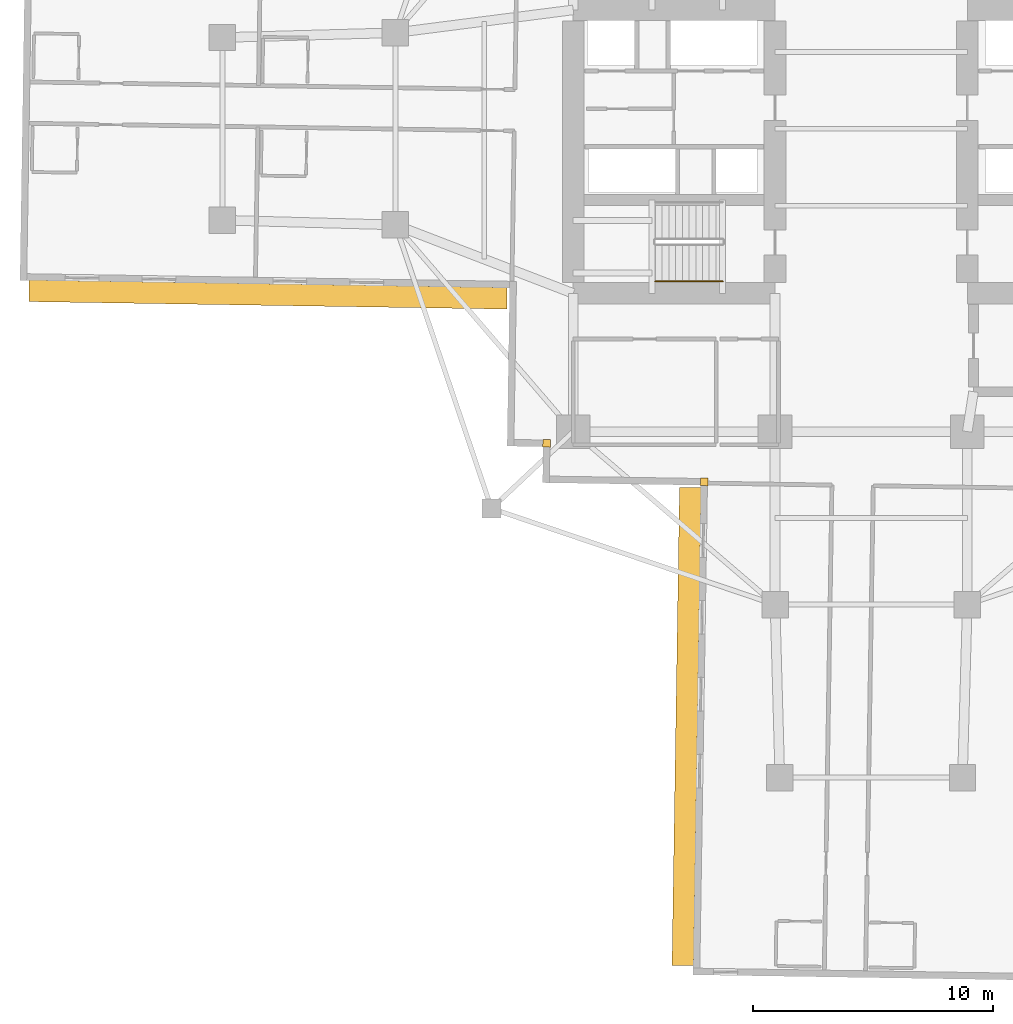
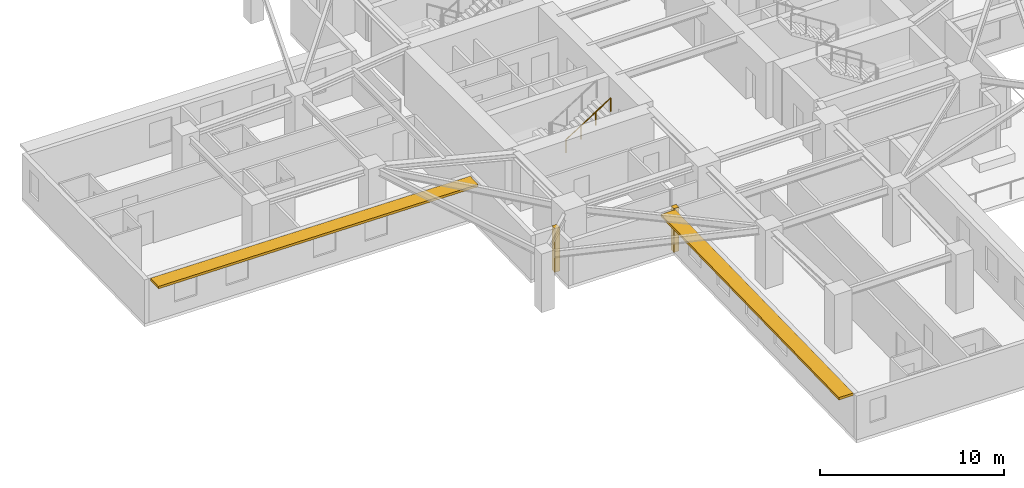
# One storey, part 9 of 13: 2 coverings, 2 shading devices, 1 railing.
"""IFC4 building model written with IfcOpenShell, lengths in metres."""

from ifc_helpers import new_model, si_unit, direction, frame, origin, origin_2d, place, context, subcontext, project, spatial, rectangle, circle, extrude, material, layer, layer_set, type_object, element, save


model = new_model("IFC4")

# Units and contexts
model_context = context("Model", 3, precision=1e-05, world=origin(), true_north=direction((0.0, 1.0)))
body_context = subcontext(model_context, "Body", "Model", "MODEL_VIEW")
ifc_project = project(units=[si_unit("LENGTHUNIT", "METRE"), si_unit("AREAUNIT", "SQUARE_METRE"), si_unit("VOLUMEUNIT", "CUBIC_METRE"), si_unit("PLANEANGLEUNIT", "RADIAN"), si_unit("MASSUNIT", "GRAM", prefix="KILO")], contexts=[model_context])

# Site, building, storey
site_placement = place(None, origin())
site = spatial("IfcSite", under=ifc_project, at=site_placement, CompositionType="ELEMENT")
building_placement = place(site_placement, origin())
building = spatial("IfcBuilding", under=site, at=building_placement, Name="Qingluan Cross Belvedere", CompositionType="ELEMENT")
storey_placement = place(building_placement, frame((0.0, 0.0, 67.800048828125)))
storey = spatial("IfcBuildingStorey", under=building, at=storey_placement, Name="L17", CompositionType="ELEMENT", Elevation=67.800048828125)

# Coverings
ifc_material_1 = material(Name="Precast concrete C45", Category="concrete")
ifc_layer_1 = layer(ifc_material_1, 0.1201171875, Name="ConcreteSpandrelCladding_120")
ifc_layer_set_1 = layer_set([ifc_layer_1], Name="Precast concrete C45")
covering_type = type_object("IfcCoveringType", Name="ConcreteSpandrelCladding_120", PredefinedType="CLADDING", material=ifc_layer_set_1)
for number, where, z_axis, x_axis, name in (
    (1, (-13.50732421875, -13.089599609375, 0.0), (0.0, 0.0, 1.0), (0.999876632482, -0.015707317312, 0.0), "Corner closure L17-SW1"),
    (2, (-6.95166015625, -14.692626953125, 0.0), (0.0, 0.0, 1.0), (0.999876632482, -0.015707317312, 0.0), "Corner closure L17-SW2"),
):
    element("IfcCovering", number, at=place(storey_placement, frame(where, z_axis=z_axis, x_axis=x_axis)), inside=storey, type_object=covering_type, Name=name, PredefinedType="CLADDING", context=body_context, shape_type="SweptSolid", body=[
        extrude(rectangle(XDim=0.320068359375, YDim=0.320068359375, at=origin_2d()), origin(), (0.0, 0.0, 1.0), 2.909912109375),
    ])

# Shading devices
ifc_material_2 = material(Name="Precast concrete C45", Category="concrete")
ifc_layer_2 = layer(ifc_material_2, 0.159912109375, Name="ConcreteSunshadeBand_900")
ifc_layer_set_2 = layer_set([ifc_layer_2], Name="Precast concrete C45")
shading_device_type = type_object("IfcShadingDeviceType", Name="ConcreteSunshadeBand_900", PredefinedType="USERDEFINED", material=ifc_layer_set_2)
for number, where, z_axis, x_axis, name in (
    (3, (-25.101318359375, -6.896484375, 2.72998046875), (0.0, 0.0, 1.0), (0.999876645576, -0.015706483741, 0.0), "Concrete SUNSHADE L17-WB"),
    (4, (-7.681640625, -24.872314453125, 2.72998046875), (0.0, 0.0, 1.0), (-0.015711457647, -0.999876567432, 0.0), "Concrete SUNSHADE L17-SA"),
):
    element("IfcShadingDevice", number, at=place(storey_placement, frame(where, z_axis=z_axis, x_axis=x_axis)), inside=storey, type_object=shading_device_type, Name=name, ObjectType="SUNSHADE", PredefinedType="USERDEFINED", context=body_context, shape_type="SweptSolid", body=[
        extrude(rectangle(XDim=19.89990234375, YDim=0.89990234375, at=origin_2d()), origin(), (0.0, 0.0, 1.0), 0.159912109375),
    ])

# Railing
ifc_material_3 = material(Name="Brushed stainless steel tubular handrail", Category="steel")
railing_type = type_object("IfcRailingType", Name="StairPitchHandrail_900", PredefinedType="HANDRAIL", material=ifc_material_3)
railing_placement = place(storey_placement, frame((-8.97998046875, -6.35009765625, 2.127197265625)))
element("IfcRailing", 5, at=railing_placement, inside=storey, type_object=railing_type, Name="L17 ST1 stair handrail 2", PredefinedType="HANDRAIL", context=body_context, shape_type="SweptSolid", body=[
    extrude(circle(Radius=0.02392578125, at=origin_2d()), frame((0.0, 0.0, 0.8759765625), z_axis=(0.844908973607, 0.0, 0.534910110503), x_axis=(0.0, 1.0, 0.0)), (0.0, 0.0, 1.0), 3.31396484375),
    extrude(circle(Radius=0.02099609375, at=origin_2d()), origin(), (0.0, 0.0, 1.0), 0.851806640625),
    extrude(circle(Radius=0.02099609375, at=origin_2d()), frame((0.933349609375, 0.0, 0.5908203125)), (0.0, 0.0, 1.0), 0.851806640625),
    extrude(circle(Radius=0.02099609375, at=origin_2d()), frame((1.86669921875, 0.0, 1.181884765625)), (0.0, 0.0, 1.0), 0.851806640625),
    extrude(circle(Radius=0.02099609375, at=origin_2d()), frame((2.800048828125, 0.0, 1.772705078125)), (0.0, 0.0, 1.0), 0.851806640625),
])

save(model, "model.ifc")
